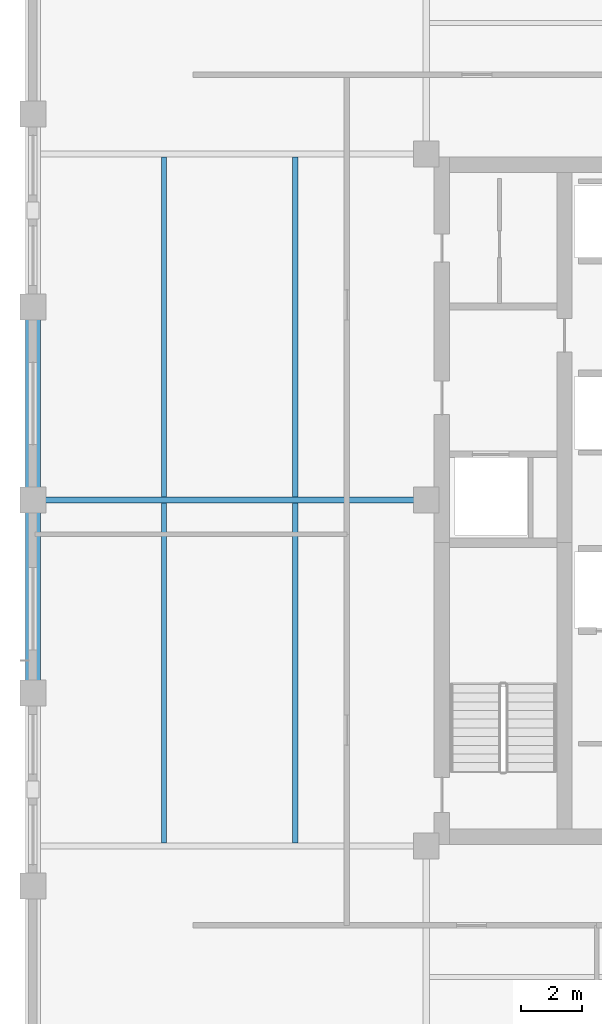
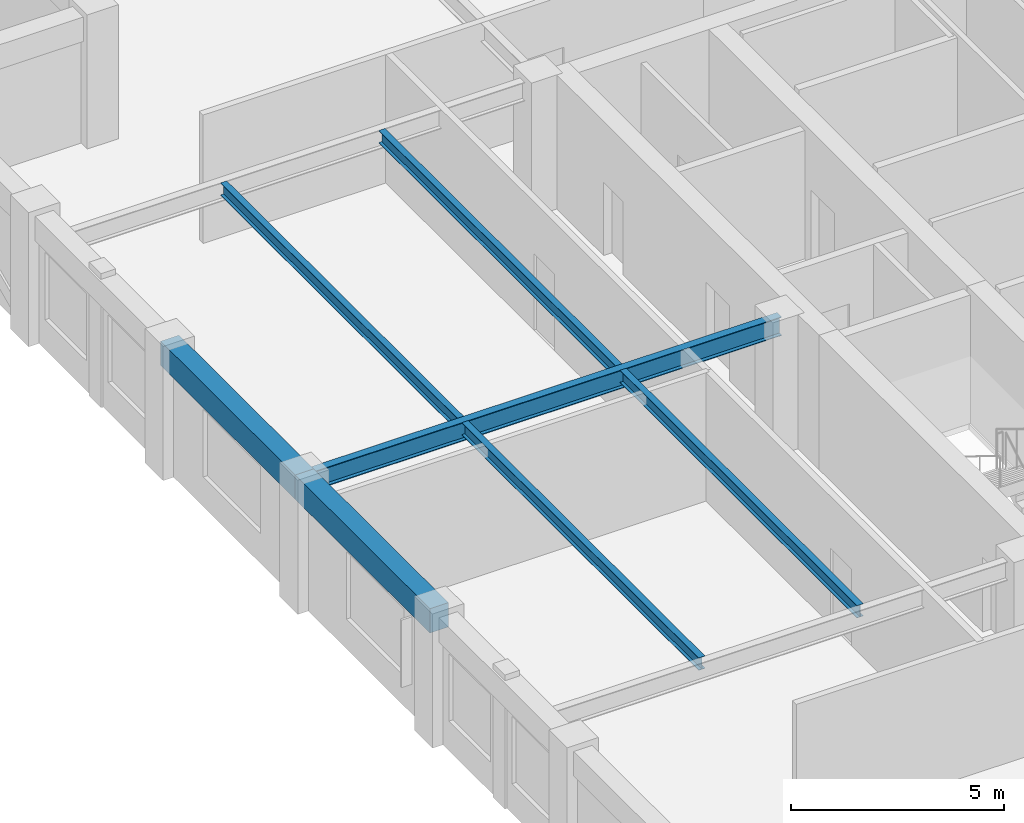
# One storey, part 3 of 13: 7 beams.
"""IFC4 building model written with IfcOpenShell, lengths in metres."""

from ifc_helpers import new_model, si_unit, direction, frame, origin, origin_2d, place, context, subcontext, project, spatial, rectangle, i_section, extrude, material, material_profile, profile_set, type_object, element, save


model = new_model("IFC4")

# Units and contexts
model_context = context("Model", 3, precision=1e-05, world=origin(), true_north=direction((0.0, 1.0)))
body_context = subcontext(model_context, "Body", "Model", "MODEL_VIEW")
ifc_project = project(units=[si_unit("LENGTHUNIT", "METRE"), si_unit("AREAUNIT", "SQUARE_METRE"), si_unit("VOLUMEUNIT", "CUBIC_METRE"), si_unit("PLANEANGLEUNIT", "RADIAN"), si_unit("MASSUNIT", "GRAM", prefix="KILO")], contexts=[model_context])

# Site, building, storey
site_placement = place(None, origin())
site = spatial("IfcSite", under=ifc_project, at=site_placement, CompositionType="ELEMENT")
building_placement = place(site_placement, origin())
building = spatial("IfcBuilding", under=site, at=building_placement, Name="Nhamokura Convention Tower", CompositionType="ELEMENT")
storey_placement = place(building_placement, frame((0.0, 0.0, 206.14990234375)))
storey = spatial("IfcBuildingStorey", under=building, at=storey_placement, Name="L50", CompositionType="ELEMENT", Elevation=206.14990234375)

# Beams
ifc_material_1 = material(Name="Steel ASTM A992 Gr 50", Category="steel")
ifc_material_profile_1 = material_profile(ifc_material_1, i_section(OverallWidth=0.172119140625, OverallDepth=0.35791015625, WebThickness=0.0078125, FlangeThickness=0.01318359375, at=origin_2d()))
ifc_profile_set_1 = profile_set([ifc_material_profile_1], Name="Steel ASTM A992 Gr 50")
beam_type_1 = type_object("IfcBeamType", Name="FloorJoist_W360X57", PredefinedType="JOIST", material=ifc_profile_set_1)
for number, where, z_axis, x_axis, name in (
    (1, (12.050048828125, 20.75341796875, 3.506103515625), (0.0, 1.0, 0.0), (-1.0, 0.0, 0.0), "L50 Composite Floor Joist W1A"),
    (2, (12.050048828125, 32.103515625, 3.506103515625), (0.0, 1.0, 0.0), (-1.0, 0.0, 0.0), "L50 Composite Floor Joist W1B"),
    (3, (16.35009765625, 20.75341796875, 3.506103515625), (0.0, 1.0, 0.0), (-1.0, 0.0, 0.0), "L50 Composite Floor Joist W2A"),
    (4, (16.35009765625, 32.103515625, 3.506103515625), (0.0, 1.0, 0.0), (-1.0, 0.0, 0.0), "L50 Composite Floor Joist W2B"),
):
    element("IfcBeam", number, at=place(storey_placement, frame(where, z_axis=z_axis, x_axis=x_axis)), inside=storey, type_object=beam_type_1, Name=name, PredefinedType="JOIST", context=body_context, shape_type="SweptSolid", body=[
        extrude(i_section(OverallWidth=0.172119140625, OverallDepth=0.35791015625, WebThickness=0.0078125, FlangeThickness=0.01318359375, at=origin_2d()), origin(), (0.0, 0.0, 1.0), 11.14306640625),
    ])
ifc_material_2 = material(Name="Steel ASTM A992 Gr 50", Category="steel")
ifc_material_profile_2 = material_profile(ifc_material_2, i_section(OverallWidth=0.2109375, OverallDepth=0.5390625, WebThickness=0.01171875, FlangeThickness=0.018798828125, at=origin_2d()))
ifc_profile_set_2 = profile_set([ifc_material_profile_2], Name="Steel ASTM A992 Gr 50")
beam_type_2 = type_object("IfcBeamType", Name="PrimaryGirder_W530X109", PredefinedType="BEAM", material=ifc_profile_set_2)
beam_placement = place(storey_placement, frame((7.75, 32.0, 3.41552734375), z_axis=(1.0, 0.0, 0.0), x_axis=(0.0, 1.0, 0.0)))
element("IfcBeam", 5, at=beam_placement, inside=storey, type_object=beam_type_2, Name="L50 Primary Floor Girder PG-W2", PredefinedType="BEAM", context=body_context, shape_type="SweptSolid", body=[
    extrude(i_section(OverallWidth=0.2109375, OverallDepth=0.5390625, WebThickness=0.01171875, FlangeThickness=0.018798828125, at=origin_2d()), origin(), (0.0, 0.0, 1.0), 12.89990234375),
])
ifc_material_3 = material(Name="Concrete C50/60", Category="concrete")
ifc_material_profile_3 = material_profile(ifc_material_3, rectangle(XDim=0.5, YDim=0.699951171875, at=origin_2d()))
ifc_profile_set_3 = profile_set([ifc_material_profile_3], Name="Concrete C50/60")
beam_type_3 = type_object("IfcBeamType", Name="TubeSpandrel_700", PredefinedType="SPANDREL", material=ifc_profile_set_3)
for number, where, z_axis, x_axis, name in (
    (6, (7.75, 25.666748046875, 3.335205078125), (0.0, 1.0, 0.0), (-1.0, 0.0, 0.0), "L50 Perimeter Spandrel WEST 3"),
    (7, (7.75, 32.0, 3.335205078125), (0.0, 1.0, 0.0), (-1.0, 0.0, 0.0), "L50 Perimeter Spandrel WEST 4"),
):
    element("IfcBeam", number, at=place(storey_placement, frame(where, z_axis=z_axis, x_axis=x_axis)), inside=storey, type_object=beam_type_3, Name=name, PredefinedType="SPANDREL", context=body_context, shape_type="SweptSolid", body=[
        extrude(rectangle(XDim=0.5, YDim=0.699951171875, at=origin_2d()), origin(), (0.0, 0.0, 1.0), 6.333251953125),
    ])

save(model, "model.ifc")
